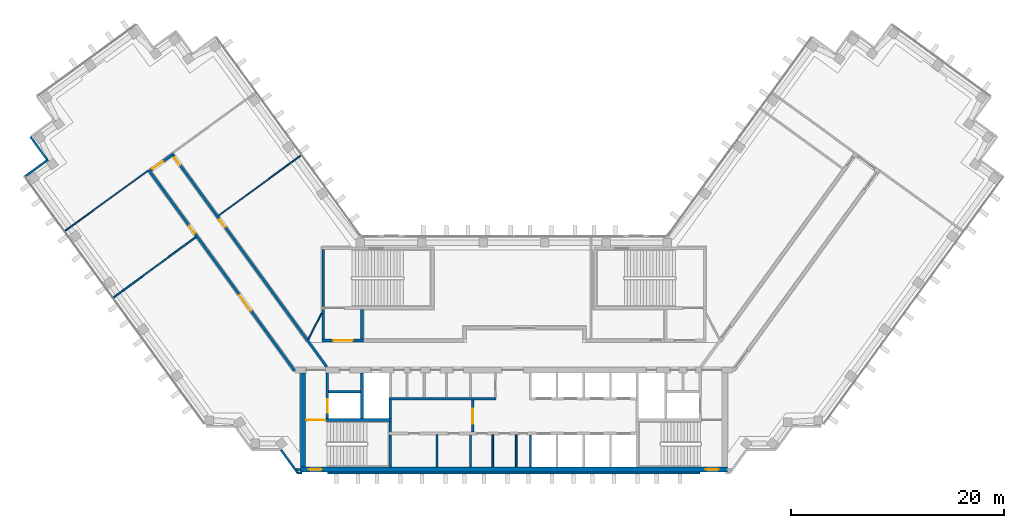
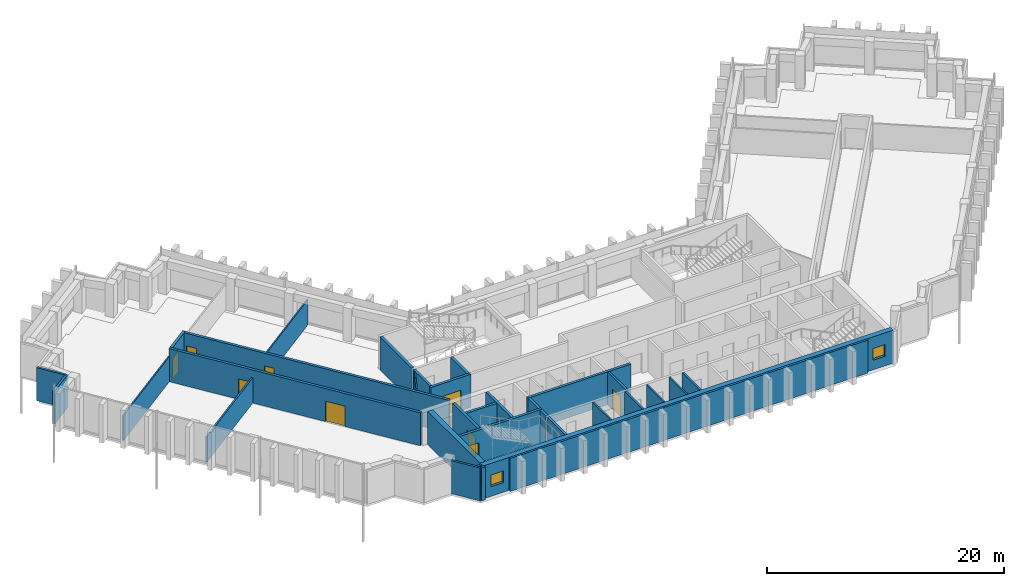
# One storey, part 7 of 13: 33 walls, 9 doors, 2 windows, 11 openings.
"""IFC4 building model written with IfcOpenShell, lengths in metres."""

from ifc_helpers import new_model, si_unit, direction, frame, frame_2d, origin, place, context, subcontext, project, spatial, rectangle, extrude, material, layer, layer_set, type_object, element, fill, save


model = new_model("IFC4")

# Units and contexts
model_context = context("Model", 3, precision=1e-05, world=origin(), true_north=direction((0.0, 1.0)))
body_context = subcontext(model_context, "Body", "Model", "MODEL_VIEW")
ifc_project = project(units=[si_unit("LENGTHUNIT", "METRE"), si_unit("AREAUNIT", "SQUARE_METRE"), si_unit("VOLUMEUNIT", "CUBIC_METRE"), si_unit("PLANEANGLEUNIT", "RADIAN"), si_unit("MASSUNIT", "GRAM", prefix="KILO")], contexts=[model_context])

# Site, building, storey
site_placement = place(None, origin())
site = spatial("IfcSite", under=ifc_project, at=site_placement, CompositionType="ELEMENT")
building_placement = place(site_placement, origin())
building = spatial("IfcBuilding", under=site, at=building_placement, Name="Quipu Civic Tower", CompositionType="ELEMENT")
storey_placement = place(building_placement, frame((0.0, 0.0, 184.0)))
storey = spatial("IfcBuildingStorey", under=building, at=storey_placement, Name="L43", CompositionType="ELEMENT", Elevation=184.0)

# Walls
ifc_material_1 = material(Name="Double gypsum plasterboard with mineral wool")
ifc_layer_1 = layer(ifc_material_1, 0.14990234375)
ifc_layer_set_1 = layer_set([ifc_layer_1], Name="Double gypsum plasterboard with mineral wool")
wall_type_1 = type_object("IfcWallType", Name="Acoustic partition 150 plasterboard", PredefinedType="PARTITIONING", material=ifc_layer_set_1)
wall_1_placement = place(storey_placement, frame((-37.506103515625, 5.380615234375, 0.0), z_axis=(0.0, 0.0, 1.0), x_axis=(0.807645841498, 0.589667868135, 0.0)))
element("IfcWall", 1, at=wall_1_placement, inside=storey, type_object=wall_type_1, Name="Partition P08", PredefinedType="PARTITIONING", context=body_context, shape_type="SweptSolid", body=[
    extrude(rectangle(XDim=9.550537109375, YDim=0.14990234375, at=frame_2d((4.775390625, 0.0))), origin(), (0.0, 0.0, 1.0), 2.60009765625),
])
ifc_material_2 = material(Name="Concrete C70/85", Category="concrete")
ifc_layer_2 = layer(ifc_material_2, 0.25)
ifc_layer_set_2 = layer_set([ifc_layer_2], Name="Concrete C70/85")
wall_type_2 = type_object("IfcWallType", Name="Core wall 250", PredefinedType="SHEAR", material=ifc_layer_set_2)
wall_2_placement = place(storey_placement, frame((-11.574951171875, -10.5, 0.0), z_axis=(0.0, 0.0, 1.0), x_axis=(0.0, 1.0, 0.0)))
element("IfcWall", 2, at=wall_2_placement, inside=storey, type_object=wall_type_2, Name="Core wall", PredefinedType="SHEAR", context=body_context, shape_type="SweptSolid", body=[
    extrude(rectangle(XDim=3.0, YDim=0.25, at=frame_2d((1.5, 0.0))), origin(), (0.0, 0.0, 1.0), 3.39990234375),
])
wall_3_placement = place(storey_placement, frame((-11.574951171875, -7.25, 0.0), z_axis=(0.0, 0.0, 1.0), x_axis=(0.0, 1.0, 0.0)))
element("IfcWall", 3, at=wall_3_placement, inside=storey, type_object=wall_type_2, Name="Core wall", PredefinedType="SHEAR", context=body_context, shape_type="SweptSolid", body=[
    extrude(rectangle(XDim=1.0, YDim=0.25, at=frame_2d((0.5, 0.0))), origin(), (0.0, 0.0, 1.0), 3.39990234375),
])

# Wall, opening, door
wall_4_placement = place(storey_placement, frame((-11.449951171875, -6.125, 0.0), z_axis=(0.0, 0.0, 1.0), x_axis=(-1.0, 0.0, 0.0)))
wall_4 = element("IfcWall", 4, at=wall_4_placement, inside=storey, type_object=wall_type_2, Name="Core wall", PredefinedType="SHEAR", context=body_context, shape_type="SweptSolid", body=[
    extrude(rectangle(XDim=8.050048828125, YDim=0.25, at=frame_2d((4.02490234375, 0.0))), origin(), (0.0, 0.0, 1.0), 3.39990234375),
])
opening_1_placement = place(wall_4_placement, frame((6.199951171875, 0.0, 0.0)))
opening_1 = element("IfcOpeningElement", 5, at=opening_1_placement, cuts=wall_4, Name="Opening CD-06", PredefinedType="OPENING", context=body_context, shape_type="SweptSolid", body=[
    extrude(rectangle(XDim=1.800048828125, YDim=2.10009765625, at=frame_2d((0.89990234375, 1.050048828125))), frame((0.0, 0.135009765625, 0.0), z_axis=(0.0, -1.0, 0.0), x_axis=(1.0, 0.0, 0.0)), (0.0, 0.0, 1.0), 0.27001953125),
])
ifc_material_3 = material(Name="Fire rated steel door", Category="steel")
door_type_1 = type_object("IfcDoorType", Name="Fire door FD90 double 1800 x 2100", OperationType="NOTDEFINED", PredefinedType="DOOR", material=ifc_material_3)
door_1_placement = place(opening_1_placement, origin())
door_1 = element("IfcDoor", 6, at=door_1_placement, inside=storey, type_object=door_type_1, Name="Door", OperationType="DOUBLE_DOOR_SINGLE_SWING", OverallHeight=2.10009765625, OverallWidth=1.800048828125, PredefinedType="DOOR", context=body_context, shape_type="SweptSolid", body=[
    extrude(rectangle(XDim=1.800048828125, YDim=2.10009765625, at=frame_2d((0.89990234375, 1.050048828125))), frame((0.0, 0.02490234375, 0.0), z_axis=(0.0, -1.0, 0.0), x_axis=(1.0, 0.0, 0.0)), (0.0, 0.0, 1.0), 0.050048828125),
])
fill(opening_1, door_1)

wall_5_placement = place(storey_placement, frame((-17.47509765625, -6.0, 0.0), z_axis=(0.0, 0.0, 1.0), x_axis=(0.0, 1.0, 0.0)))
wall_5 = element("IfcWall", 7, at=wall_5_placement, inside=storey, type_object=wall_type_2, Name="Core wall", PredefinedType="SHEAR", context=body_context, shape_type="SweptSolid", body=[
    extrude(rectangle(XDim=4.300048828125, YDim=0.25, at=frame_2d((2.14990234375, 0.0))), origin(), (0.0, 0.0, 1.0), 3.39990234375),
])
opening_2_placement = place(wall_5_placement, frame((0.550048828125, 0.0, 0.0)))
opening_2 = element("IfcOpeningElement", 8, at=opening_2_placement, cuts=wall_5, Name="Opening LD-FF1", PredefinedType="OPENING", context=body_context, shape_type="SweptSolid", body=[
    extrude(rectangle(XDim=1.300048828125, YDim=2.10009765625, at=frame_2d((0.64990234375, 1.050048828125))), frame((0.0, 0.135009765625, 0.0), z_axis=(0.0, -1.0, 0.0), x_axis=(1.0, 0.0, 0.0)), (0.0, 0.0, 1.0), 0.27001953125),
])
ifc_material_4 = material(Name="Stainless steel", Category="steel")
door_type_2 = type_object("IfcDoorType", Name="Lift landing door 1300 x 2100", OperationType="DOUBLE_DOOR_SLIDING", PredefinedType="DOOR", material=ifc_material_4)
door_2_placement = place(opening_2_placement, origin())
door_2 = element("IfcDoor", 9, at=door_2_placement, inside=storey, type_object=door_type_2, Name="Landing door FF1", OperationType="DOUBLE_DOOR_SLIDING", OverallHeight=2.10009765625, OverallWidth=1.300048828125, PredefinedType="DOOR", context=body_context, shape_type="SweptSolid", body=[
    extrude(rectangle(XDim=1.300048828125, YDim=2.10009765625, at=frame_2d((0.64990234375, 1.050048828125))), frame((0.0, 0.02490234375, 0.0), z_axis=(0.0, -1.0, 0.0), x_axis=(1.0, 0.0, 0.0)), (0.0, 0.0, 1.0), 0.050048828125),
])
fill(opening_2, door_2)

# Walls
wall_6_placement = place(storey_placement, frame((-14.22509765625, -6.0, 0.0), z_axis=(0.0, 0.0, 1.0), x_axis=(0.0, 1.0, 0.0)))
element("IfcWall", 10, at=wall_6_placement, inside=storey, type_object=wall_type_2, Name="Core wall", PredefinedType="SHEAR", context=body_context, shape_type="SweptSolid", body=[
    extrude(rectangle(XDim=4.300048828125, YDim=0.25, at=frame_2d((2.14990234375, 0.0))), origin(), (0.0, 0.0, 1.0), 3.39990234375),
])
wall_7_placement = place(storey_placement, frame((-11.574951171875, -6.0, 0.0), z_axis=(0.0, 0.0, 1.0), x_axis=(0.0, 1.0, 0.0)))
element("IfcWall", 11, at=wall_7_placement, inside=storey, type_object=wall_type_2, Name="Core wall", PredefinedType="SHEAR", context=body_context, shape_type="SweptSolid", body=[
    extrude(rectangle(XDim=1.75, YDim=0.25, at=frame_2d((0.875, 0.0))), origin(), (0.0, 0.0, 1.0), 3.39990234375),
])
wall_8_placement = place(storey_placement, frame((-11.699951171875, -4.125, 0.0), z_axis=(0.0, 0.0, 1.0), x_axis=(1.0, 0.0, 0.0)))
element("IfcWall", 12, at=wall_8_placement, inside=storey, type_object=wall_type_2, Name="Core wall", PredefinedType="SHEAR", context=body_context, shape_type="SweptSolid", body=[
    extrude(rectangle(XDim=10.050048828125, YDim=0.25, at=frame_2d((5.02490234375, 0.0))), origin(), (0.0, 0.0, 1.0), 3.39990234375),
])
wall_9_placement = place(storey_placement, frame((-17.35009765625, -3.47509765625, 0.0), z_axis=(0.0, 0.0, 1.0), x_axis=(1.0, 0.0, 0.0)))
element("IfcWall", 13, at=wall_9_placement, inside=storey, type_object=wall_type_2, Name="Core wall", PredefinedType="SHEAR", context=body_context, shape_type="SweptSolid", body=[
    extrude(rectangle(XDim=3.0, YDim=0.25, at=frame_2d((1.5, 0.0))), origin(), (0.0, 0.0, 1.0), 3.39990234375),
])

# Wall, opening, door
wall_10_placement = place(storey_placement, frame((-18.0, 1.324951171875, 0.0), z_axis=(0.0, 0.0, 1.0), x_axis=(1.0, 0.0, 0.0)))
wall_10 = element("IfcWall", 14, at=wall_10_placement, inside=storey, type_object=wall_type_2, Name="Core wall", PredefinedType="SHEAR", context=body_context, shape_type="SweptSolid", body=[
    extrude(rectangle(XDim=3.89990234375, YDim=0.25, at=frame_2d((1.949951171875, 0.0))), origin(), (0.0, 0.0, 1.0), 3.39990234375),
])
opening_3_placement = place(wall_10_placement, frame((1.10009765625, 0.0, 0.0)))
opening_3 = element("IfcOpeningElement", 15, at=opening_3_placement, cuts=wall_10, Name="Opening CD-22", PredefinedType="OPENING", context=body_context, shape_type="SweptSolid", body=[
    extrude(rectangle(XDim=1.800048828125, YDim=2.10009765625, at=frame_2d((0.89990234375, 1.050048828125))), frame((0.0, 0.135009765625, 0.0), z_axis=(0.0, -1.0, 0.0), x_axis=(1.0, 0.0, 0.0)), (0.0, 0.0, 1.0), 0.27001953125),
])
door_3_placement = place(opening_3_placement, origin())
door_3 = element("IfcDoor", 16, at=door_3_placement, inside=storey, type_object=door_type_1, Name="Lobby door", OperationType="DOUBLE_DOOR_SINGLE_SWING", OverallHeight=2.10009765625, OverallWidth=1.800048828125, PredefinedType="DOOR", context=body_context, shape_type="SweptSolid", body=[
    extrude(rectangle(XDim=1.800048828125, YDim=2.10009765625, at=frame_2d((0.89990234375, 1.050048828125))), frame((0.0, 0.02490234375, 0.0), z_axis=(0.0, -1.0, 0.0), x_axis=(1.0, 0.0, 0.0)), (0.0, 0.0, 1.0), 0.050048828125),
])
fill(opening_3, door_3)

# Walls
for number, where, z_axis, x_axis, name in (
    (17, (-17.875, 1.449951171875, 0.0), (0.0, 0.0, 1.0), (0.0, 1.0, 0.0), "Core wall"),
    (18, (-14.22509765625, 1.449951171875, 0.0), (0.0, 0.0, 1.0), (0.0, 1.0, 0.0), "Core wall"),
):
    element("IfcWall", number, at=place(storey_placement, frame(where, z_axis=z_axis, x_axis=x_axis)), inside=storey, type_object=wall_type_2, Name=name, PredefinedType="SHEAR", context=body_context, shape_type="SweptSolid", body=[
        extrude(rectangle(XDim=2.800048828125, YDim=0.25, at=frame_2d((1.39990234375, 0.0))), origin(), (0.0, 0.0, 1.0), 3.39990234375),
    ])
wall_11_placement = place(storey_placement, frame((-17.875, 4.5, 0.0), z_axis=(0.0, 0.0, 1.0), x_axis=(0.0, 1.0, 0.0)))
element("IfcWall", 19, at=wall_11_placement, inside=storey, type_object=wall_type_2, Name="Core wall", PredefinedType="SHEAR", context=body_context, shape_type="SweptSolid", body=[
    extrude(rectangle(XDim=5.35009765625, YDim=0.25, at=frame_2d((2.675048828125, 0.0))), origin(), (0.0, 0.0, 1.0), 3.39990234375),
])

# Wall, openings, windows
ifc_material_5 = material(Name="Concrete C70/85", Category="concrete")
ifc_layer_3 = layer(ifc_material_5, 0.5)
ifc_layer_set_3 = layer_set([ifc_layer_3], Name="Concrete C70/85")
wall_type_3 = type_object("IfcWallType", Name="Core wall 500", PredefinedType="SHEAR", material=ifc_layer_set_3)
wall_12_placement = place(storey_placement, frame((-20.0, -10.75, 0.0), z_axis=(0.0, 0.0, 1.0), x_axis=(1.0, 0.0, 0.0)))
wall_12 = element("IfcWall", 20, at=wall_12_placement, inside=storey, type_object=wall_type_3, Name="Core wall", PredefinedType="SHEAR", context=body_context, shape_type="SweptSolid", body=[
    extrude(rectangle(XDim=40.0, YDim=0.5, at=frame_2d((20.0, 0.0))), origin(), (0.0, 0.0, 1.0), 3.39990234375),
])
opening_4_placement = place(wall_12_placement, frame((0.800048828125, 0.0, 1.0)))
opening_4 = element("IfcOpeningElement", 21, at=opening_4_placement, cuts=wall_12, Name="Opening SV-1", PredefinedType="OPENING", context=body_context, shape_type="SweptSolid", body=[
    extrude(rectangle(XDim=1.199951171875, YDim=1.199951171875, at=frame_2d((0.60009765625, 0.60009765625))), frame((0.0, 0.260009765625, 0.0), z_axis=(0.0, -1.0, 0.0), x_axis=(1.0, 0.0, 0.0)), (0.0, 0.0, 1.0), 0.52001953125),
])
opening_5_placement = place(wall_12_placement, frame((38.0, 0.0, 1.0)))
opening_5 = element("IfcOpeningElement", 22, at=opening_5_placement, cuts=wall_12, Name="Opening SV-2", PredefinedType="OPENING", context=body_context, shape_type="SweptSolid", body=[
    extrude(rectangle(XDim=1.199951171875, YDim=1.199951171875, at=frame_2d((0.60009765625, 0.60009765625))), frame((0.0, 0.260009765625, 0.0), z_axis=(0.0, -1.0, 0.0), x_axis=(1.0, 0.0, 0.0)), (0.0, 0.0, 1.0), 0.52001953125),
])
ifc_material_6 = material(Name="Aluminium louvre", Category="aluminium")
window_type = type_object("IfcWindowType", Name="Stair ventilation louvre 1200 x 1200", PartitioningType="SINGLE_PANEL", PredefinedType="WINDOW", material=ifc_material_6)
window_1_placement = place(opening_4_placement, origin())
window_1 = element("IfcWindow", 23, at=window_1_placement, inside=storey, type_object=window_type, Name="Stair ventilation opening", OverallHeight=1.199951171875, OverallWidth=1.199951171875, PartitioningType="SINGLE_PANEL", PredefinedType="WINDOW", context=body_context, shape_type="SweptSolid", body=[
    extrude(rectangle(XDim=1.199951171875, YDim=1.199951171875, at=frame_2d((0.60009765625, 0.60009765625))), frame((0.0, 0.030029296875, 0.0), z_axis=(0.0, -1.0, 0.0), x_axis=(1.0, 0.0, 0.0)), (0.0, 0.0, 1.0), 0.06005859375),
])
fill(opening_4, window_1)
window_2_placement = place(opening_5_placement, origin())
window_2 = element("IfcWindow", 24, at=window_2_placement, inside=storey, type_object=window_type, Name="Stair ventilation opening", OverallHeight=1.199951171875, OverallWidth=1.199951171875, PartitioningType="SINGLE_PANEL", PredefinedType="WINDOW", context=body_context, shape_type="SweptSolid", body=[
    extrude(rectangle(XDim=1.199951171875, YDim=1.199951171875, at=frame_2d((0.60009765625, 0.60009765625))), frame((0.0, 0.030029296875, 0.0), z_axis=(0.0, -1.0, 0.0), x_axis=(1.0, 0.0, 0.0)), (0.0, 0.0, 1.0), 0.06005859375),
])
fill(opening_5, window_2)

# Wall
wall_13_placement = place(storey_placement, frame((-19.75, -10.5, 0.0), z_axis=(0.0, 0.0, 1.0), x_axis=(0.0, 1.0, 0.0)))
element("IfcWall", 25, at=wall_13_placement, inside=storey, type_object=wall_type_3, Name="Core wall", PredefinedType="SHEAR", context=body_context, shape_type="SweptSolid", body=[
    extrude(rectangle(XDim=8.800048828125, YDim=0.5, at=frame_2d((4.39990234375, 0.0))), origin(), (0.0, 0.0, 1.0), 3.39990234375),
])

# Wall, openings, doors
ifc_material_7 = material(Name="Concrete C50/60", Category="concrete")
ifc_layer_4 = layer(ifc_material_7, 0.25)
ifc_layer_set_4 = layer_set([ifc_layer_4], Name="Concrete C50/60")
wall_type_4 = type_object("IfcWallType", Name="Corridor wall 250 concrete", PredefinedType="SOLIDWALL", material=ifc_layer_set_4)
wall_14_placement = place(storey_placement, frame((-20.531005859375, -1.5234375, 0.0), z_axis=(0.0, 0.0, 1.0), x_axis=(-0.587784239999, 0.809017729849, 0.0)))
wall_14 = element("IfcWall", 26, at=wall_14_placement, inside=storey, type_object=wall_type_4, Name="Corridor wall C04", PredefinedType="SOLIDWALL", context=body_context, shape_type="SweptSolid", body=[
    extrude(rectangle(XDim=23.2705078125, YDim=0.25, at=frame_2d((11.63525390625, 0.0))), origin(), (0.0, 0.0, 1.0), 3.39990234375),
])
opening_6_placement = place(wall_14_placement, frame((15.915771484375, 0.0, 0.0)))
opening_6 = element("IfcOpeningElement", 27, at=opening_6_placement, cuts=wall_14, Name="Opening D010", PredefinedType="OPENING", context=body_context, shape_type="SweptSolid", body=[
    extrude(rectangle(XDim=0.89990234375, YDim=2.10009765625, at=frame_2d((0.449951171875, 1.050048828125))), frame((0.0, 0.135009765625, 0.0), z_axis=(0.0, -1.0, 0.0), x_axis=(1.0, 0.0, 0.0)), (0.0, 0.0, 1.0), 0.27001953125),
])
opening_7_placement = place(wall_14_placement, frame((6.974365234375, 0.0, 0.0)))
opening_7 = element("IfcOpeningElement", 28, at=opening_7_placement, cuts=wall_14, Name="Opening D011", PredefinedType="OPENING", context=body_context, shape_type="SweptSolid", body=[
    extrude(rectangle(XDim=1.800048828125, YDim=2.10009765625, at=frame_2d((0.89990234375, 1.050048828125))), frame((0.0, 0.135009765625, 0.0), z_axis=(0.0, -1.0, 0.0), x_axis=(1.0, 0.0, 0.0)), (0.0, 0.0, 1.0), 0.27001953125),
])
ifc_material_8 = material(Name="Fire rated timber door set with metal frame", Category="wood")
door_type_3 = type_object("IfcDoorType", Name="Double door 1800 x 2100 FD60", OperationType="DOUBLE_DOOR_SINGLE_SWING", PredefinedType="DOOR", material=ifc_material_8)
door_4_placement = place(opening_7_placement, origin())
door_4 = element("IfcDoor", 29, at=door_4_placement, inside=storey, type_object=door_type_3, Name="Door D011", OperationType="DOUBLE_DOOR_SINGLE_SWING", OverallHeight=2.10009765625, OverallWidth=1.800048828125, PredefinedType="DOOR", context=body_context, shape_type="SweptSolid", body=[
    extrude(rectangle(XDim=1.800048828125, YDim=2.10009765625, at=frame_2d((0.89990234375, 1.050048828125))), frame((0.0, 0.02490234375, 0.0), z_axis=(0.0, -1.0, 0.0), x_axis=(1.0, 0.0, 0.0)), (0.0, 0.0, 1.0), 0.050048828125),
])
fill(opening_7, door_4)
ifc_material_9 = material(Name="Fire rated timber door set with metal frame", Category="wood")
door_type_4 = type_object("IfcDoorType", Name="Single door 900 x 2100 FD60", OperationType="NOTDEFINED", PredefinedType="DOOR", material=ifc_material_9)
door_5_placement = place(opening_6_placement, origin())
door_5 = element("IfcDoor", 30, at=door_5_placement, inside=storey, type_object=door_type_4, Name="Door D010", OperationType="SINGLE_SWING_LEFT", OverallHeight=2.10009765625, OverallWidth=0.89990234375, PredefinedType="DOOR", context=body_context, shape_type="SweptSolid", body=[
    extrude(rectangle(XDim=0.89990234375, YDim=2.10009765625, at=frame_2d((0.449951171875, 1.050048828125))), frame((0.0, 0.02490234375, 0.0), z_axis=(0.0, -1.0, 0.0), x_axis=(1.0, 0.0, 0.0)), (0.0, 0.0, 1.0), 0.050048828125),
])
fill(opening_6, door_5)

# Wall, opening, door
wall_15_placement = place(storey_placement, frame((-34.0341796875, 17.275146484375, 0.0), z_axis=(0.0, 0.0, 1.0), x_axis=(0.809006914995, 0.587799125119, 0.0)))
wall_15 = element("IfcWall", 31, at=wall_15_placement, inside=storey, type_object=wall_type_4, Name="Corridor wall C05", PredefinedType="SOLIDWALL", context=body_context, shape_type="SweptSolid", body=[
    extrude(rectangle(XDim=2.64990234375, YDim=0.25, at=frame_2d((1.324951171875, 0.0))), origin(), (0.0, 0.0, 1.0), 3.39990234375),
])
opening_8_placement = place(wall_15_placement, frame((0.224365234375, 0.0, 0.0)))
opening_8 = element("IfcOpeningElement", 32, at=opening_8_placement, cuts=wall_15, Name="Opening D012", PredefinedType="OPENING", context=body_context, shape_type="SweptSolid", body=[
    extrude(rectangle(XDim=1.199951171875, YDim=2.10009765625, at=frame_2d((0.60009765625, 1.050048828125))), frame((0.0, 0.135009765625, 0.0), z_axis=(0.0, -1.0, 0.0), x_axis=(1.0, 0.0, 0.0)), (0.0, 0.0, 1.0), 0.27001953125),
])
ifc_material_10 = material(Name="Fire rated timber door set with metal frame", Category="wood")
door_type_5 = type_object("IfcDoorType", Name="Single door 1200 x 2100 FD60", OperationType="NOTDEFINED", PredefinedType="DOOR", material=ifc_material_10)
door_6_placement = place(opening_8_placement, origin())
door_6 = element("IfcDoor", 33, at=door_6_placement, inside=storey, type_object=door_type_5, Name="Door D012", OperationType="SINGLE_SWING_LEFT", OverallHeight=2.10009765625, OverallWidth=1.199951171875, PredefinedType="DOOR", context=body_context, shape_type="SweptSolid", body=[
    extrude(rectangle(XDim=1.199951171875, YDim=2.10009765625, at=frame_2d((0.60009765625, 1.050048828125))), frame((0.0, 0.02490234375, 0.0), z_axis=(0.0, -1.0, 0.0), x_axis=(1.0, 0.0, 0.0)), (0.0, 0.0, 1.0), 0.050048828125),
])
fill(opening_8, door_6)

# Wall, openings, doors
wall_16_placement = place(storey_placement, frame((-31.918212890625, 18.658203125, 0.0), z_axis=(0.0, 0.0, 1.0), x_axis=(0.587788731405, -0.80901446664, 0.0)))
wall_16 = element("IfcWall", 34, at=wall_16_placement, inside=storey, type_object=wall_type_4, Name="Corridor wall C06", PredefinedType="SOLIDWALL", context=body_context, shape_type="SweptSolid", body=[
    extrude(rectangle(XDim=24.453125, YDim=0.25, at=frame_2d((12.2265625, 0.0))), origin(), (0.0, 0.0, 1.0), 3.39990234375),
])
opening_9_placement = place(wall_16_placement, frame((0.22412109375, 0.0, 0.0)))
opening_9 = element("IfcOpeningElement", 35, at=opening_9_placement, cuts=wall_16, Name="Opening D008", PredefinedType="OPENING", context=body_context, shape_type="SweptSolid", body=[
    extrude(rectangle(XDim=0.89990234375, YDim=2.10009765625, at=frame_2d((0.449951171875, 1.050048828125))), frame((0.0, 0.135009765625, 0.0), z_axis=(0.0, -1.0, 0.0), x_axis=(1.0, 0.0, 0.0)), (0.0, 0.0, 1.0), 0.27001953125),
])
opening_10_placement = place(wall_16_placement, frame((7.394775390625, 0.0, 0.0)))
opening_10 = element("IfcOpeningElement", 36, at=opening_10_placement, cuts=wall_16, Name="Opening D009", PredefinedType="OPENING", context=body_context, shape_type="SweptSolid", body=[
    extrude(rectangle(XDim=0.89990234375, YDim=2.10009765625, at=frame_2d((0.449951171875, 1.050048828125))), frame((0.0, 0.135009765625, 0.0), z_axis=(0.0, -1.0, 0.0), x_axis=(1.0, 0.0, 0.0)), (0.0, 0.0, 1.0), 0.27001953125),
])
door_7_placement = place(opening_9_placement, origin())
door_7 = element("IfcDoor", 37, at=door_7_placement, inside=storey, type_object=door_type_4, Name="Door D008", OperationType="SINGLE_SWING_LEFT", OverallHeight=2.10009765625, OverallWidth=0.89990234375, PredefinedType="DOOR", context=body_context, shape_type="SweptSolid", body=[
    extrude(rectangle(XDim=0.89990234375, YDim=2.10009765625, at=frame_2d((0.449951171875, 1.050048828125))), frame((0.0, 0.02490234375, 0.0), z_axis=(0.0, -1.0, 0.0), x_axis=(1.0, 0.0, 0.0)), (0.0, 0.0, 1.0), 0.050048828125),
])
fill(opening_9, door_7)
door_8_placement = place(opening_10_placement, origin())
door_8 = element("IfcDoor", 38, at=door_8_placement, inside=storey, type_object=door_type_4, Name="Door D009", OperationType="SINGLE_SWING_LEFT", OverallHeight=2.10009765625, OverallWidth=0.89990234375, PredefinedType="DOOR", context=body_context, shape_type="SweptSolid", body=[
    extrude(rectangle(XDim=0.89990234375, YDim=2.10009765625, at=frame_2d((0.449951171875, 1.050048828125))), frame((0.0, 0.02490234375, 0.0), z_axis=(0.0, -1.0, 0.0), x_axis=(1.0, 0.0, 0.0)), (0.0, 0.0, 1.0), 0.050048828125),
])
fill(opening_10, door_8)

# Walls
ifc_material_11 = material(Name="Gypsum plasterboard on light gauge framing")
ifc_layer_5 = layer(ifc_material_11, 0.1201171875)
ifc_layer_set_5 = layer_set([ifc_layer_5], Name="Gypsum plasterboard on light gauge framing")
wall_type_5 = type_object("IfcWallType", Name="Partition 120 plasterboard", PredefinedType="PARTITIONING", material=ifc_layer_set_5)
wall_17_placement = place(storey_placement, frame((-27.676025390625, 13.031982421875, 0.0), z_axis=(0.0, 0.0, 1.0), x_axis=(0.807606997933, 0.589721067023, 0.0)))
element("IfcWall", 39, at=wall_17_placement, inside=storey, type_object=wall_type_5, Name="Partition P05", PredefinedType="PARTITIONING", context=body_context, shape_type="SweptSolid", body=[
    extrude(rectangle(XDim=9.550048828125, YDim=0.1201171875, at=frame_2d((4.77490234375, 0.0))), origin(), (0.0, 0.0, 1.0), 2.60009765625),
])
wall_18_placement = place(storey_placement, frame((-42.035888671875, 11.615478515625, 0.0), z_axis=(0.0, 0.0, 1.0), x_axis=(0.808985331811, 0.587828829605, 0.0)))
element("IfcWall", 40, at=wall_18_placement, inside=storey, type_object=wall_type_5, Name="Partition P06", PredefinedType="PARTITIONING", context=body_context, shape_type="SweptSolid", body=[
    extrude(rectangle(XDim=9.56982421875, YDim=0.1201171875, at=frame_2d((4.784912109375, 0.0))), origin(), (0.0, 0.0, 1.0), 2.60009765625),
])
wall_19_placement = place(storey_placement, frame((-19.260986328125, 1.449951171875, 0.0), z_axis=(0.0, 0.0, 1.0), x_axis=(0.453950796792, 0.891026752736, 0.0)))
element("IfcWall", 41, at=wall_19_placement, inside=storey, type_object=wall_type_5, Name="Partition P10", PredefinedType="PARTITIONING", context=body_context, shape_type="SweptSolid", body=[
    extrude(rectangle(XDim=2.77783203125, YDim=0.1201171875, at=frame_2d((1.388916015625, 0.0))), origin(), (0.0, 0.0, 1.0), 3.39990234375),
])
ifc_material_12 = material(Name="Gypsum board partition")
ifc_layer_6 = layer(ifc_material_12, 0.14990234375)
ifc_layer_set_6 = layer_set([ifc_layer_6], Name="Gypsum board partition")
wall_type_6 = type_object("IfcWallType", Name="Partition 150", PredefinedType="PARTITIONING", material=ifc_layer_set_6)
for number, where, z_axis, x_axis, name in (
    (42, (-7.199951171875, -10.5, 0.0), (0.0, 0.0, 1.0), (0.0, 1.0, 0.0), "Partition"),
    (43, (-1.97509765625, -10.5, 0.0), (0.0, 0.0, 1.0), (0.0, 1.0, 0.0), "Partition"),
    (44, (0.22509765625, -10.5, 0.0), (0.0, 0.0, 1.0), (0.0, 1.0, 0.0), "Partition"),
):
    element("IfcWall", number, at=place(storey_placement, frame(where, z_axis=z_axis, x_axis=x_axis)), inside=storey, type_object=wall_type_6, Name=name, PredefinedType="PARTITIONING", context=body_context, shape_type="SweptSolid", body=[
        extrude(rectangle(XDim=3.0, YDim=0.14990234375, at=frame_2d((1.5, 0.0))), origin(), (0.0, 0.0, 1.0), 3.39990234375),
    ])
ifc_material_13 = material(Name="Precast concrete C40/50", Category="concrete")
wall_type_7 = type_object("IfcWallType", Name="Precast cladding wall", PredefinedType="SOLIDWALL", material=ifc_material_13)
for number, where, z_axis, x_axis, name in (
    (45, (-45.29638671875, 20.43359375, 0.0), (0.0, 0.0, 1.0), (0.587762999008, -0.809033161865, 0.0), "Precast cladding wall L43 P02"),
    (46, (-43.658203125, 18.271728515625, 0.0), (0.0, 0.0, 1.0), (-0.808958916286, -0.58786518162, 0.0), "Precast cladding wall L43 P03"),
):
    element("IfcWall", number, at=place(storey_placement, frame(where, z_axis=z_axis, x_axis=x_axis)), inside=storey, type_object=wall_type_7, Name=name, PredefinedType="SOLIDWALL", context=body_context, shape_type="SweptSolid", body=[
        extrude(rectangle(XDim=2.699951171875, YDim=0.199951171875, at=frame_2d((1.35009765625, 0.0))), origin(), (0.0, 0.0, 1.0), 3.39990234375),
    ])
wall_20_placement = place(storey_placement, frame((-21.8330078125, -8.90869140625, 0.0), z_axis=(0.0, 0.0, 1.0), x_axis=(0.587766567315, -0.809030569476, 0.0)))
element("IfcWall", 47, at=wall_20_placement, inside=storey, type_object=wall_type_7, Name="Precast cladding wall L43 P15", PredefinedType="SOLIDWALL", context=body_context, shape_type="SweptSolid", body=[
    extrude(rectangle(XDim=2.687744140625, YDim=0.199951171875, at=frame_2d((1.34375, 0.0))), origin(), (0.0, 0.0, 1.0), 3.39990234375),
])
wall_21_placement = place(storey_placement, frame((-20.255859375, -11.087890625, 0.0), z_axis=(0.0, 0.0, 1.0), x_axis=(1.0, 0.0, 0.0)))
element("IfcWall", 48, at=wall_21_placement, inside=storey, type_object=wall_type_7, Name="Precast cladding wall L43 P16", PredefinedType="SOLIDWALL", context=body_context, shape_type="SweptSolid", body=[
    extrude(rectangle(XDim=0.40576171875, YDim=0.199951171875, at=frame_2d((0.202880859375, 0.0))), origin(), (0.0, 0.0, 1.0), 3.39990234375),
])
wall_22_placement = place(storey_placement, frame((-17.44384765625, -11.087890625, 0.0), z_axis=(0.0, 0.0, 1.0), x_axis=(1.0, 0.0, 0.0)))
element("IfcWall", 49, at=wall_22_placement, inside=storey, type_object=wall_type_7, Name="Precast cladding wall L43 P17", PredefinedType="SOLIDWALL", context=body_context, shape_type="SweptSolid", body=[
    extrude(rectangle(XDim=34.8876953125, YDim=0.199951171875, at=frame_2d((17.44384765625, 0.0))), origin(), (0.0, 0.0, 1.0), 3.39990234375),
])
wall_23_placement = place(storey_placement, frame((-19.97998046875, -10.75, 0.0), z_axis=(0.0, 0.0, 1.0), x_axis=(-1.0, 0.0, 0.0)))
element("IfcWall", 50, at=wall_23_placement, inside=storey, type_object=wall_type_7, Name="Precast cladding return L43 W", PredefinedType="SOLIDWALL", context=body_context, shape_type="SweptSolid", body=[
    extrude(rectangle(XDim=0.41650390625, YDim=0.199951171875, at=frame_2d((0.208251953125, 0.0))), origin(), (0.0, 0.0, 1.0), 3.39990234375),
])
ifc_material_14 = material(Name="Concrete C40/50", Category="concrete")
ifc_layer_7 = layer(ifc_material_14, 0.199951171875)
ifc_layer_set_7 = layer_set([ifc_layer_7], Name="Concrete C40/50")
wall_type_8 = type_object("IfcWallType", Name="Shaft wall 200", PredefinedType="SOLIDWALL", material=ifc_layer_set_7)
for number, where, z_axis, x_axis, name in (
    (51, (-4.050048828125, -10.5, 0.0), (0.0, 0.0, 1.0), (0.0, 1.0, 0.0), "Shaft wall"),
    (52, (1.550048828125, -10.5, 0.0), (0.0, 0.0, 1.0), (0.0, 1.0, 0.0), "Shaft wall"),
):
    element("IfcWall", number, at=place(storey_placement, frame(where, z_axis=z_axis, x_axis=x_axis)), inside=storey, type_object=wall_type_8, Name=name, PredefinedType="SOLIDWALL", context=body_context, shape_type="SweptSolid", body=[
        extrude(rectangle(XDim=3.0, YDim=0.199951171875, at=frame_2d((1.5, 0.0))), origin(), (0.0, 0.0, 1.0), 3.39990234375),
    ])

# Wall, opening, door
wall_24_placement = place(storey_placement, frame((-3.85009765625, -4.25, 0.0), z_axis=(0.0, 0.0, 1.0), x_axis=(0.0, -1.0, 0.0)))
wall_24 = element("IfcWall", 53, at=wall_24_placement, inside=storey, type_object=wall_type_8, Name="Shaft wall", PredefinedType="SOLIDWALL", context=body_context, shape_type="SweptSolid", body=[
    extrude(rectangle(XDim=3.0, YDim=0.199951171875, at=frame_2d((1.5, 0.0))), origin(), (0.0, 0.0, 1.0), 3.39990234375),
])
opening_11_placement = place(wall_24_placement, frame((0.800048828125, 0.0, 0.0)))
opening_11 = element("IfcOpeningElement", 54, at=opening_11_placement, cuts=wall_24, Name="Opening CD-08", PredefinedType="OPENING", context=body_context, shape_type="SweptSolid", body=[
    extrude(rectangle(XDim=1.39990234375, YDim=2.10009765625, at=frame_2d((0.699951171875, 1.050048828125))), frame((0.0, 0.10986328125, 0.0), z_axis=(0.0, -1.0, 0.0), x_axis=(1.0, 0.0, 0.0)), (0.0, 0.0, 1.0), 0.219970703125),
])
ifc_material_15 = material(Name="Fire rated steel door", Category="steel")
door_type_6 = type_object("IfcDoorType", Name="Fire door FD60 double 1400 x 2100", OperationType="NOTDEFINED", PredefinedType="DOOR", material=ifc_material_15)
door_9_placement = place(opening_11_placement, origin())
door_9 = element("IfcDoor", 55, at=door_9_placement, inside=storey, type_object=door_type_6, Name="Hall door", OperationType="DOUBLE_DOOR_SINGLE_SWING", OverallHeight=2.10009765625, OverallWidth=1.39990234375, PredefinedType="DOOR", context=body_context, shape_type="SweptSolid", body=[
    extrude(rectangle(XDim=1.39990234375, YDim=2.10009765625, at=frame_2d((0.699951171875, 1.050048828125))), frame((0.0, 0.02490234375, 0.0), z_axis=(0.0, -1.0, 0.0), x_axis=(1.0, 0.0, 0.0)), (0.0, 0.0, 1.0), 0.050048828125),
])
fill(opening_11, door_9)

save(model, "model.ifc")
